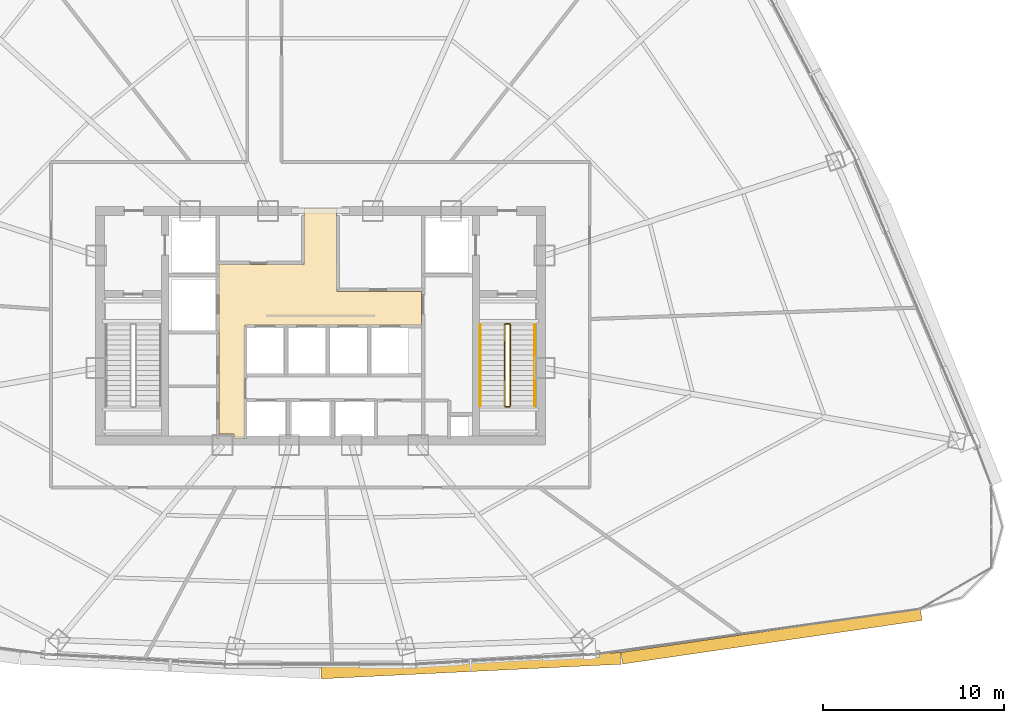
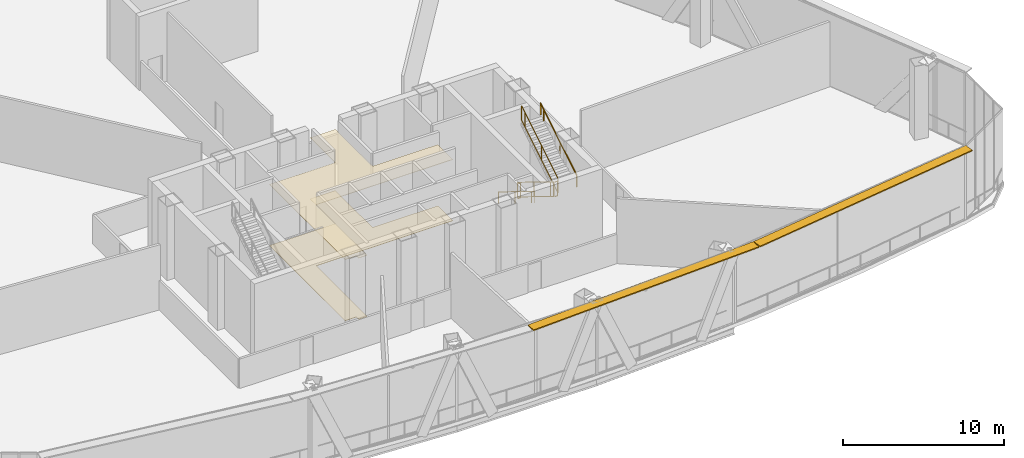
# One storey, part 34 of 38: 6 railings, 2 coverings, 2 shading devices.
"""IFC4 building model written with IfcOpenShell, lengths in metres."""

from ifc_helpers import new_model, si_unit, direction, frame, origin, origin_2d, place, context, subcontext, project, spatial, polyline, rectangle, outline, extrude, source, transform, mapped, material, layer, layer_set, type_object, element, save


model = new_model("IFC4")

# Units and contexts
model_context = context("Model", 3, precision=1e-05, world=origin(), true_north=direction((0.0, 1.0)))
body_context = subcontext(model_context, "Body", "Model", "MODEL_VIEW")
ifc_project = project(units=[si_unit("LENGTHUNIT", "METRE"), si_unit("AREAUNIT", "SQUARE_METRE"), si_unit("VOLUMEUNIT", "CUBIC_METRE"), si_unit("PLANEANGLEUNIT", "RADIAN"), si_unit("MASSUNIT", "GRAM", prefix="KILO"), si_unit("THERMODYNAMICTEMPERATUREUNIT", "KELVIN"), si_unit("POWERUNIT", "WATT")], contexts=[model_context])

# Site, building, storey
site_placement = place(None, origin())
site = spatial("IfcSite", under=ifc_project, at=site_placement, CompositionType="ELEMENT")
building_placement = place(site_placement, origin())
building = spatial("IfcBuilding", under=site, at=building_placement, Name="Yunzhuo Pagoda Commons", CompositionType="ELEMENT")
storey_placement = place(building_placement, frame((0.0, 0.0, 218.9599609375)))
storey = spatial("IfcBuildingStorey", under=building, at=storey_placement, Name="L55", CompositionType="ELEMENT", Elevation=218.9599609375)

# Coverings
ifc_material_1 = material(Name="Perforated gypsum acoustic ceiling tile")
ifc_layer_1 = layer(ifc_material_1, 0.030029296875)
ifc_layer_set_1 = layer_set([ifc_layer_1], Name="Perforated gypsum acoustic ceiling tile")
covering_type_1 = type_object("IfcCoveringType", Name="COV-CL2 Ceiling 30", PredefinedType="CEILING", material=ifc_layer_set_1)
covering_1_placement = place(storey_placement, frame((0.0, 0.0, 4.6201171875)))
element("IfcCovering", 1, at=covering_1_placement, inside=storey, type_object=covering_type_1, Name="L55 lift lobby acoustic ceiling", PredefinedType="CEILING", context=body_context, shape_type="SweptSolid", body=[
    extrude(outline(polyline([(42.39990234375, 37.25), (47.10009765625, 37.25), (47.10009765625, 40.35009765625), (48.89990234375, 40.35009765625), (48.89990234375, 37.25), (48.919921875, 37.25), (48.919921875, 35.75), (53.580078125, 35.75), (53.580078125, 33.89990234375), (43.820068359375, 33.89990234375), (43.820068359375, 27.60009765625), (43.207763671875, 27.60009765625), (43.207763671875, 27.85009765625), (43.201904296875, 27.864013671875), (43.187744140625, 27.8701171875), (42.39990234375, 27.8701171875), (42.39990234375, 33.89990234375), (42.39990234375, 37.25)])), origin(), (0.0, 0.0, 1.0), 0.030029296875),
])
ifc_material_2 = material(Name="Terrazzo stone lobby flooring", Category="masonry")
ifc_layer_2 = layer(ifc_material_2, 0.02392578125)
ifc_layer_set_2 = layer_set([ifc_layer_2], Name="Terrazzo stone lobby flooring")
covering_type_2 = type_object("IfcCoveringType", Name="COV-FL2 Flooring 24", PredefinedType="FLOORING", material=ifc_layer_set_2)
covering_2_placement = place(storey_placement, origin())
element("IfcCovering", 2, at=covering_2_placement, inside=storey, type_object=covering_type_2, Name="L55 lift lobby flooring", PredefinedType="FLOORING", context=body_context, shape_type="SweptSolid", body=[
    extrude(outline(polyline([(42.39990234375, 37.25), (47.10009765625, 37.25), (47.10009765625, 40.35009765625), (48.89990234375, 40.35009765625), (48.89990234375, 37.25), (48.919921875, 37.25), (48.919921875, 35.75), (53.580078125, 35.75), (53.580078125, 33.89990234375), (43.820068359375, 33.89990234375), (43.820068359375, 27.60009765625), (43.207763671875, 27.60009765625), (43.207763671875, 27.85009765625), (43.201904296875, 27.864013671875), (43.187744140625, 27.8701171875), (42.39990234375, 27.8701171875), (42.39990234375, 33.89990234375), (42.39990234375, 37.25)])), origin(), (0.0, 0.0, 1.0), 0.02392578125),
])

# Railings
ifc_material_3 = material(Name="Anodized aluminium 6063-T6", Category="aluminium")
railing_type_1 = type_object("IfcRailingType", Name="GR-ST2 Stair Well Guardrail 1160", PredefinedType="GUARDRAIL", material=ifc_material_3)
railing_1_placement = place(storey_placement, frame((58.199951171875, 33.89990234375, 0.172119140625)))
element("IfcRailing", 3, at=railing_1_placement, inside=storey, type_object=railing_type_1, Name="L55 ST2 stair guard 1", PredefinedType="GUARDRAIL", context=body_context, shape_type="SweptSolid", body=[
    extrude(rectangle(XDim=0.048095703125, YDim=0.048095703125, at=origin_2d()), frame((0.0, 0.0, 1.1259765625), z_axis=(0.0, -0.851996104429, 0.523548123899), x_axis=(1.0, 0.0, 0.0)), (0.0, 0.0, 1.0), 5.25830078125),
    extrude(rectangle(XDim=0.048095703125, YDim=0.048095703125, at=origin_2d()), frame((0.0, 0.0, 0.02392578125), z_axis=(0.0, -0.851996104429, 0.523548123899), x_axis=(1.0, 0.0, 0.0)), (0.0, 0.0, 1.0), 5.25830078125),
    extrude(rectangle(XDim=0.0419921875, YDim=0.0419921875, at=origin_2d()), origin(), (0.0, 0.0, 1.0), 1.101806640625),
    extrude(rectangle(XDim=0.0419921875, YDim=0.0419921875, at=origin_2d()), frame((0.0, -2.044677734375, 1.256591796875)), (0.0, 0.0, 1.0), 1.101806640625),
    extrude(rectangle(XDim=0.0419921875, YDim=0.0419921875, at=origin_2d()), frame((0.0, -4.089599609375, 2.512939453125)), (0.0, 0.0, 1.0), 1.101806640625),
    extrude(rectangle(XDim=0.0419921875, YDim=0.0419921875, at=origin_2d()), frame((0.0, -4.47998046875, 2.7529296875)), (0.0, 0.0, 1.0), 1.101806640625),
])
railing_2_placement = place(storey_placement, frame((58.25, 29.3701171875, 2.925048828125)))
element("IfcRailing", 4, at=railing_2_placement, inside=storey, type_object=railing_type_1, Name="L55 ST2 stair guard 2", PredefinedType="GUARDRAIL", context=body_context, shape_type="SweptSolid", body=[
    extrude(rectangle(XDim=0.048095703125, YDim=0.048095703125, at=origin_2d()), frame((0.0, 0.0, 1.1259765625), z_axis=(1.0, 0.0, 0.0), x_axis=(0.0, 1.0, 0.0)), (0.0, 0.0, 1.0), 0.199951171875),
    extrude(rectangle(XDim=0.048095703125, YDim=0.048095703125, at=origin_2d()), frame((0.0, 0.0, 0.02392578125), z_axis=(1.0, 0.0, 0.0), x_axis=(0.0, 1.0, 0.0)), (0.0, 0.0, 1.0), 0.199951171875),
    extrude(rectangle(XDim=0.0419921875, YDim=0.0419921875, at=origin_2d()), origin(), (0.0, 0.0, 1.0), 1.101806640625),
    extrude(rectangle(XDim=0.0419921875, YDim=0.0419921875, at=origin_2d()), frame((0.199951171875, 0.0, 0.0)), (0.0, 0.0, 1.0), 1.101806640625),
])
railing_3_placement = place(storey_placement, frame((58.5, 29.419921875, 3.09716796875)))
element("IfcRailing", 5, at=railing_3_placement, inside=storey, type_object=railing_type_1, Name="L55 ST2 stair guard 3", PredefinedType="GUARDRAIL", context=body_context, shape_type="SweptSolid", body=[
    extrude(rectangle(XDim=0.048095703125, YDim=0.048095703125, at=origin_2d()), frame((0.0, 0.0, 1.1259765625), z_axis=(0.0, 0.851996104429, 0.523548123899), x_axis=(-1.0, 0.0, 0.0)), (0.0, 0.0, 1.0), 5.25830078125),
    extrude(rectangle(XDim=0.048095703125, YDim=0.048095703125, at=origin_2d()), frame((0.0, 0.0, 0.02392578125), z_axis=(0.0, 0.851996104429, 0.523548123899), x_axis=(-1.0, 0.0, 0.0)), (0.0, 0.0, 1.0), 5.25830078125),
    extrude(rectangle(XDim=0.0419921875, YDim=0.0419921875, at=origin_2d()), origin(), (0.0, 0.0, 1.0), 1.101806640625),
    extrude(rectangle(XDim=0.0419921875, YDim=0.0419921875, at=origin_2d()), frame((0.0, 2.044677734375, 1.256591796875)), (0.0, 0.0, 1.0), 1.101806640625),
    extrude(rectangle(XDim=0.0419921875, YDim=0.0419921875, at=origin_2d()), frame((0.0, 4.089599609375, 2.512939453125)), (0.0, 0.0, 1.0), 1.101806640625),
    extrude(rectangle(XDim=0.0419921875, YDim=0.0419921875, at=origin_2d()), frame((0.0, 4.47998046875, 2.7529296875)), (0.0, 0.0, 1.0), 1.101806640625),
])
railing_4_placement = place(storey_placement, frame((58.25, 33.949951171875, 0.0)))
element("IfcRailing", 6, at=railing_4_placement, inside=storey, type_object=railing_type_1, Name="L55 ST2 stair guard 4", PredefinedType="GUARDRAIL", context=body_context, shape_type="SweptSolid", body=[
    extrude(rectangle(XDim=0.048095703125, YDim=0.048095703125, at=origin_2d()), frame((0.0, 0.0, 1.1259765625), z_axis=(1.0, 0.0, 0.0), x_axis=(0.0, 1.0, 0.0)), (0.0, 0.0, 1.0), 0.199951171875),
    extrude(rectangle(XDim=0.048095703125, YDim=0.048095703125, at=origin_2d()), frame((0.0, 0.0, 0.02392578125), z_axis=(1.0, 0.0, 0.0), x_axis=(0.0, 1.0, 0.0)), (0.0, 0.0, 1.0), 0.199951171875),
    extrude(rectangle(XDim=0.0419921875, YDim=0.0419921875, at=origin_2d()), origin(), (0.0, 0.0, 1.0), 1.101806640625),
    extrude(rectangle(XDim=0.0419921875, YDim=0.0419921875, at=origin_2d()), frame((0.199951171875, 0.0, 0.0)), (0.0, 0.0, 1.0), 1.101806640625),
])
railing_type_2 = type_object("IfcRailingType", Name="HR-ST2 Stair Handrail 900", PredefinedType="HANDRAIL", material=ifc_material_3)
railing_5_placement = place(storey_placement, frame((56.85009765625, 33.89990234375, 0.172119140625)))
element("IfcRailing", 7, at=railing_5_placement, inside=storey, type_object=railing_type_2, Name="L55 ST2 stair handrail 1", PredefinedType="HANDRAIL", context=body_context, shape_type="SweptSolid", body=[
    extrude(rectangle(XDim=0.048095703125, YDim=0.048095703125, at=origin_2d()), frame((0.0, 0.0, 0.8759765625), z_axis=(0.0, -0.851996104429, 0.523548123899), x_axis=(1.0, 0.0, 0.0)), (0.0, 0.0, 1.0), 5.25830078125),
    extrude(rectangle(XDim=0.0419921875, YDim=0.0419921875, at=origin_2d()), origin(), (0.0, 0.0, 1.0), 0.851806640625),
    extrude(rectangle(XDim=0.0419921875, YDim=0.0419921875, at=origin_2d()), frame((0.0, -2.044677734375, 1.256591796875)), (0.0, 0.0, 1.0), 0.851806640625),
    extrude(rectangle(XDim=0.0419921875, YDim=0.0419921875, at=origin_2d()), frame((0.0, -4.089599609375, 2.512939453125)), (0.0, 0.0, 1.0), 0.851806640625),
    extrude(rectangle(XDim=0.0419921875, YDim=0.0419921875, at=origin_2d()), frame((0.0, -4.47998046875, 2.7529296875)), (0.0, 0.0, 1.0), 0.851806640625),
])
railing_6_placement = place(storey_placement, frame((59.85009765625, 29.419921875, 3.09716796875)))
element("IfcRailing", 8, at=railing_6_placement, inside=storey, type_object=railing_type_2, Name="L55 ST2 stair handrail 2", PredefinedType="HANDRAIL", context=body_context, shape_type="SweptSolid", body=[
    extrude(rectangle(XDim=0.048095703125, YDim=0.048095703125, at=origin_2d()), frame((0.0, 0.0, 0.8759765625), z_axis=(0.0, 0.851996104429, 0.523548123899), x_axis=(-1.0, 0.0, 0.0)), (0.0, 0.0, 1.0), 5.25830078125),
    extrude(rectangle(XDim=0.0419921875, YDim=0.0419921875, at=origin_2d()), origin(), (0.0, 0.0, 1.0), 0.851806640625),
    extrude(rectangle(XDim=0.0419921875, YDim=0.0419921875, at=origin_2d()), frame((0.0, 2.044677734375, 1.256591796875)), (0.0, 0.0, 1.0), 0.851806640625),
    extrude(rectangle(XDim=0.0419921875, YDim=0.0419921875, at=origin_2d()), frame((0.0, 4.089599609375, 2.512939453125)), (0.0, 0.0, 1.0), 0.851806640625),
    extrude(rectangle(XDim=0.0419921875, YDim=0.0419921875, at=origin_2d()), frame((0.0, 4.47998046875, 2.7529296875)), (0.0, 0.0, 1.0), 0.851806640625),
])

# Shading devices
ifc_layer_3 = layer(ifc_material_3, 0.080078125)
ifc_layer_set_3 = layer_set([ifc_layer_3], Name="Anodized aluminium 6063-T6")
shading_device_type = type_object("IfcShadingDeviceType", Name="SH-SUN1 Pagoda Horizontal Sunshade Eave 650", PredefinedType="USERDEFINED", material=ifc_layer_set_3)
shared_shape_1 = source(origin(), body_context, "Body", "SweptSolid", [
    extrude(rectangle(XDim=16.74658203125, YDim=0.64990234375, at=origin_2d()), origin(), (0.0, 0.0, 1.0), 0.080078125),
])
shading_device_1_placement = place(storey_placement, frame((72.9501953125, 16.662841796875, 5.489990234375), z_axis=(0.0, 0.0, 1.0), x_axis=(0.989510666697, 0.144459823108, 0.0)))
element("IfcShadingDevice", 9, at=shading_device_1_placement, inside=storey, type_object=shading_device_type, Name="L55 horizontal pagoda sunshade eave F1.4", ObjectType="SUNSHADE", PredefinedType="USERDEFINED", context=body_context, shape_type="MappedRepresentation", body=[
    mapped(shared_shape_1, transform((0.0, 0.0, 0.0), scale=1.0)),
])
shared_shape_2 = source(origin(), body_context, "Body", "SweptSolid", [
    extrude(rectangle(XDim=16.590087890625, YDim=0.64990234375, at=origin_2d()), origin(), (0.0, 0.0, 1.0), 0.080078125),
])
shading_device_2_placement = place(storey_placement, frame((56.31689453125, 15.0439453125, 5.489990234375), z_axis=(0.0, 0.0, 1.0), x_axis=(0.998818043775, 0.04860571396, 0.0)))
element("IfcShadingDevice", 10, at=shading_device_2_placement, inside=storey, type_object=shading_device_type, Name="L55 horizontal pagoda sunshade eave F1.3", ObjectType="SUNSHADE", PredefinedType="USERDEFINED", context=body_context, shape_type="MappedRepresentation", body=[
    mapped(shared_shape_2, transform((0.0, 0.0, 0.0), scale=1.0)),
])

save(model, "model.ifc")
